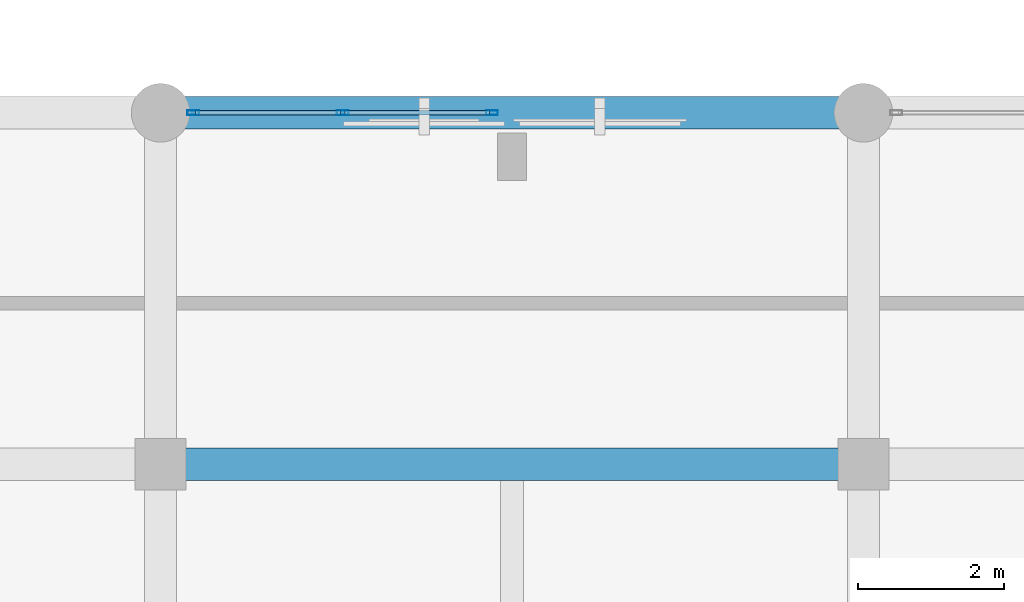
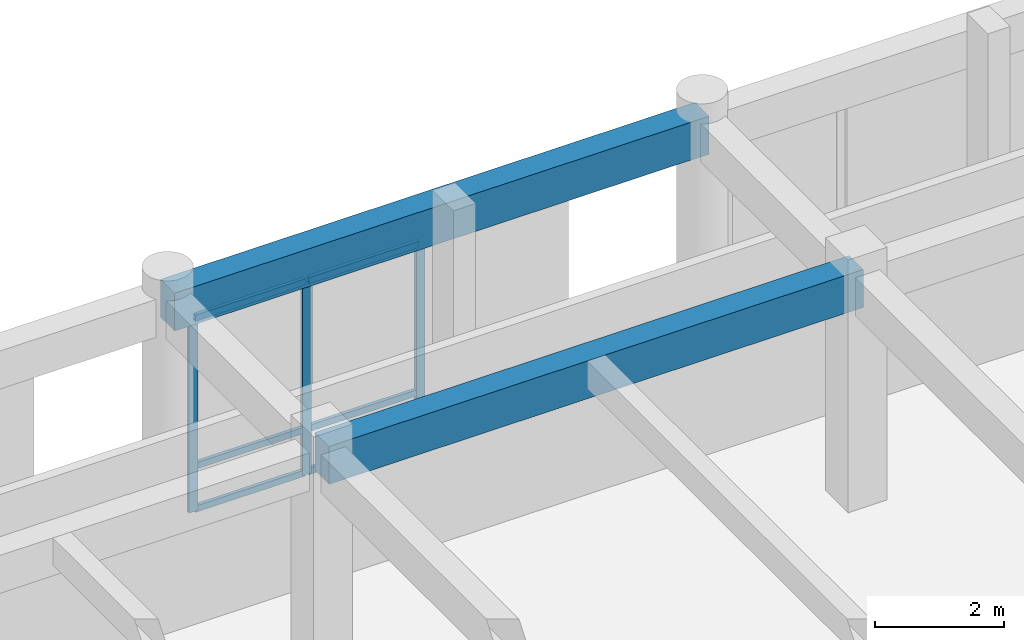
# One storey, part 28 of 133: 9 members, 2 beams, 1 element without a shape of its own.
"""IFC4 building model written with IfcOpenShell, lengths in metres."""

from ifc_helpers import new_model, si_unit, direction, frame, origin, origin_2d, place, context, subcontext, project, spatial, rectangle, hollow_rectangle, extrude, material, layer, layer_set, material_profile, profile_set, type_object, element, aggregate, save


model = new_model("IFC4")

# Units and contexts
model_context = context("Model", 3, precision=1e-05, world=origin(), true_north=direction((0.0, 1.0)))
body_context = subcontext(model_context, "Body", "Model", "MODEL_VIEW")
ifc_project = project(units=[si_unit("LENGTHUNIT", "METRE"), si_unit("AREAUNIT", "SQUARE_METRE"), si_unit("VOLUMEUNIT", "CUBIC_METRE"), si_unit("PLANEANGLEUNIT", "RADIAN"), si_unit("MASSUNIT", "GRAM", prefix="KILO")], contexts=[model_context])

# Site, building, storey
site_placement = place(None, origin())
site = spatial("IfcSite", under=ifc_project, at=site_placement, CompositionType="ELEMENT")
building_placement = place(site_placement, origin())
building = spatial("IfcBuilding", under=site, at=building_placement, Name="Nakhvara Creek Congress Hotel", CompositionType="ELEMENT")
storey_placement = place(building_placement, frame((0.0, 0.0, 11.39990234375)))
storey = spatial("IfcBuildingStorey", under=building, at=storey_placement, Name="L02", CompositionType="ELEMENT", Elevation=11.39990234375)

# Beams
ifc_material_1 = material(Name="Concrete C40/50", Category="concrete")
ifc_material_profile_1 = material_profile(ifc_material_1, rectangle(XDim=0.43994140625, YDim=0.719970703125, at=origin_2d()), Name="RC-BM 440x720", Category="LoadBearing")
ifc_profile_set_1 = profile_set([ifc_material_profile_1], Name="Concrete C40/50")
beam_type = type_object("IfcBeamType", Name="BM-RC-440X720", PredefinedType="BEAM", material=ifc_profile_set_1)
for number, where, z_axis, x_axis, name in (
    (1, (105.60009765625, 38.39990234375, 4.06005859375), (1.0, 0.0, 0.0), (0.0, 1.0, 0.0), "Beam B12-L02-1498"),
    (2, (105.60009765625, 43.199951171875, 4.06005859375), (1.0, 0.0, 0.0), (0.0, 1.0, 0.0), "Beam B12-L02-1499"),
):
    element("IfcBeam", number, at=place(storey_placement, frame(where, z_axis=z_axis, x_axis=x_axis)), inside=storey, type_object=beam_type, Name=name, PredefinedType="BEAM", context=body_context, shape_type="SweptSolid", body=[
        extrude(rectangle(XDim=0.43994140625, YDim=0.719970703125, at=origin_2d()), origin(), (0.0, 0.0, 1.0), 9.599853515625),
    ])

# Curtain wall, members
ifc_material_2 = material(Name="Bronze-anodised aluminium AW-6063-T6 and double-silver low-E glass", Category="aluminium")
ifc_layer = layer(ifc_material_2, 0.199951171875)
ifc_layer_set = layer_set([ifc_layer], Name="Bronze-anodised aluminium AW-6063-T6 and double-silver low-E glass")
curtain_wall_type = type_object("IfcCurtainWallType", Name="CW-POD-STICK", PredefinedType="NOTDEFINED", material=ifc_layer_set)
curtain_wall_placement = place(storey_placement, origin())
curtain_wall = element("IfcCurtainWall", 3, at=curtain_wall_placement, inside=storey, type_object=curtain_wall_type, Name="Curtain Wall CW039", PredefinedType="NOTDEFINED")
ifc_material_3 = material(Name="Bronze-anodised aluminium AW-6063-T6", Category="aluminium")
ifc_material_profile_2 = material_profile(ifc_material_3, hollow_rectangle(XDim=0.06494140625, YDim=0.159912109375, WallThickness=0.00390625, at=origin_2d()), Name="ALU-MULL 65x160x4", Category="LoadBearing")
ifc_profile_set_2 = profile_set([ifc_material_profile_2], Name="Bronze-anodised aluminium AW-6063-T6")
member_type_1 = type_object("IfcMemberType", Name="CW-MULL-160", PredefinedType="MULLION", material=ifc_profile_set_2)
member_1_placement = place(storey_placement, frame((106.047607421875, 43.199951171875, 0.0), z_axis=(0.0, 0.0, 1.0), x_axis=(0.0, 1.0, 0.0)))
member_1 = element("IfcMember", 4, at=member_1_placement, type_object=member_type_1, Name="CW039 mullion 1", PredefinedType="MULLION", context=body_context, shape_type="SweptSolid", body=[
    extrude(hollow_rectangle(XDim=0.06494140625, YDim=0.159912109375, WallThickness=0.00390625, at=origin_2d()), origin(), (0.0, 0.0, 1.0), 3.692138671875),
])
member_2_placement = place(storey_placement, frame((108.08740234375, 43.199951171875, 0.0), z_axis=(0.0, 0.0, 1.0), x_axis=(0.0, 1.0, 0.0)))
member_2 = element("IfcMember", 5, at=member_2_placement, type_object=member_type_1, Name="CW039 mullion 2", PredefinedType="MULLION", context=body_context, shape_type="SweptSolid", body=[
    extrude(hollow_rectangle(XDim=0.06494140625, YDim=0.159912109375, WallThickness=0.00390625, at=origin_2d()), origin(), (0.0, 0.0, 1.0), 3.692138671875),
])
member_3_placement = place(storey_placement, frame((110.12744140625, 43.199951171875, 0.0), z_axis=(0.0, 0.0, 1.0), x_axis=(0.0, 1.0, 0.0)))
member_3 = element("IfcMember", 6, at=member_3_placement, type_object=member_type_1, Name="CW039 mullion 3", PredefinedType="MULLION", context=body_context, shape_type="SweptSolid", body=[
    extrude(hollow_rectangle(XDim=0.06494140625, YDim=0.159912109375, WallThickness=0.00390625, at=origin_2d()), origin(), (0.0, 0.0, 1.0), 3.692138671875),
])
ifc_material_profile_3 = material_profile(ifc_material_3, hollow_rectangle(XDim=0.06494140625, YDim=0.1201171875, WallThickness=0.00390625, at=origin_2d()), Name="ALU-TRAN 65x120x4", Category="LoadBearing")
ifc_profile_set_3 = profile_set([ifc_material_profile_3], Name="Bronze-anodised aluminium AW-6063-T6")
member_type_2 = type_object("IfcMemberType", Name="CW-TRAN-120", PredefinedType="USERDEFINED", material=ifc_profile_set_3)
member_4_placement = place(storey_placement, frame((106.080078125, 43.199951171875, 0.03271484375), z_axis=(1.0, 0.0, 0.0), x_axis=(0.0, 1.0, 0.0)))
member_4 = element("IfcMember", 7, at=member_4_placement, type_object=member_type_2, Name="CW039 transom 1.1", ObjectType="TRANSOM", PredefinedType="USERDEFINED", context=body_context, shape_type="SweptSolid", body=[
    extrude(hollow_rectangle(XDim=0.06494140625, YDim=0.1201171875, WallThickness=0.00390625, at=origin_2d()), origin(), (0.0, 0.0, 1.0), 1.974853515625),
])
member_5_placement = place(storey_placement, frame((106.080078125, 43.199951171875, 0.85009765625), z_axis=(1.0, 0.0, 0.0), x_axis=(0.0, 1.0, 0.0)))
member_5 = element("IfcMember", 8, at=member_5_placement, type_object=member_type_2, Name="CW039 transom 1.2", ObjectType="TRANSOM", PredefinedType="USERDEFINED", context=body_context, shape_type="SweptSolid", body=[
    extrude(hollow_rectangle(XDim=0.06494140625, YDim=0.1201171875, WallThickness=0.00390625, at=origin_2d()), origin(), (0.0, 0.0, 1.0), 1.974853515625),
])
member_6_placement = place(storey_placement, frame((106.080078125, 43.199951171875, 3.65966796875), z_axis=(1.0, 0.0, 0.0), x_axis=(0.0, 1.0, 0.0)))
member_6 = element("IfcMember", 9, at=member_6_placement, type_object=member_type_2, Name="CW039 transom 1.3", ObjectType="TRANSOM", PredefinedType="USERDEFINED", context=body_context, shape_type="SweptSolid", body=[
    extrude(hollow_rectangle(XDim=0.06494140625, YDim=0.1201171875, WallThickness=0.00390625, at=origin_2d()), origin(), (0.0, 0.0, 1.0), 1.974853515625),
])
member_7_placement = place(storey_placement, frame((108.1201171875, 43.199951171875, 0.03271484375), z_axis=(1.0, 0.0, 0.0), x_axis=(0.0, 1.0, 0.0)))
member_7 = element("IfcMember", 10, at=member_7_placement, type_object=member_type_2, Name="CW039 transom 2.1", ObjectType="TRANSOM", PredefinedType="USERDEFINED", context=body_context, shape_type="SweptSolid", body=[
    extrude(hollow_rectangle(XDim=0.06494140625, YDim=0.1201171875, WallThickness=0.00390625, at=origin_2d()), origin(), (0.0, 0.0, 1.0), 1.974853515625),
])
member_8_placement = place(storey_placement, frame((108.1201171875, 43.199951171875, 0.85009765625), z_axis=(1.0, 0.0, 0.0), x_axis=(0.0, 1.0, 0.0)))
member_8 = element("IfcMember", 11, at=member_8_placement, type_object=member_type_2, Name="CW039 transom 2.2", ObjectType="TRANSOM", PredefinedType="USERDEFINED", context=body_context, shape_type="SweptSolid", body=[
    extrude(hollow_rectangle(XDim=0.06494140625, YDim=0.1201171875, WallThickness=0.00390625, at=origin_2d()), origin(), (0.0, 0.0, 1.0), 1.974853515625),
])
member_9_placement = place(storey_placement, frame((108.1201171875, 43.199951171875, 3.65966796875), z_axis=(1.0, 0.0, 0.0), x_axis=(0.0, 1.0, 0.0)))
member_9 = element("IfcMember", 12, at=member_9_placement, type_object=member_type_2, Name="CW039 transom 2.3", ObjectType="TRANSOM", PredefinedType="USERDEFINED", context=body_context, shape_type="SweptSolid", body=[
    extrude(hollow_rectangle(XDim=0.06494140625, YDim=0.1201171875, WallThickness=0.00390625, at=origin_2d()), origin(), (0.0, 0.0, 1.0), 1.974853515625),
])
aggregate(curtain_wall, [member_1, member_2, member_3, member_4, member_5, member_6, member_7, member_8, member_9])

save(model, "model.ifc")
